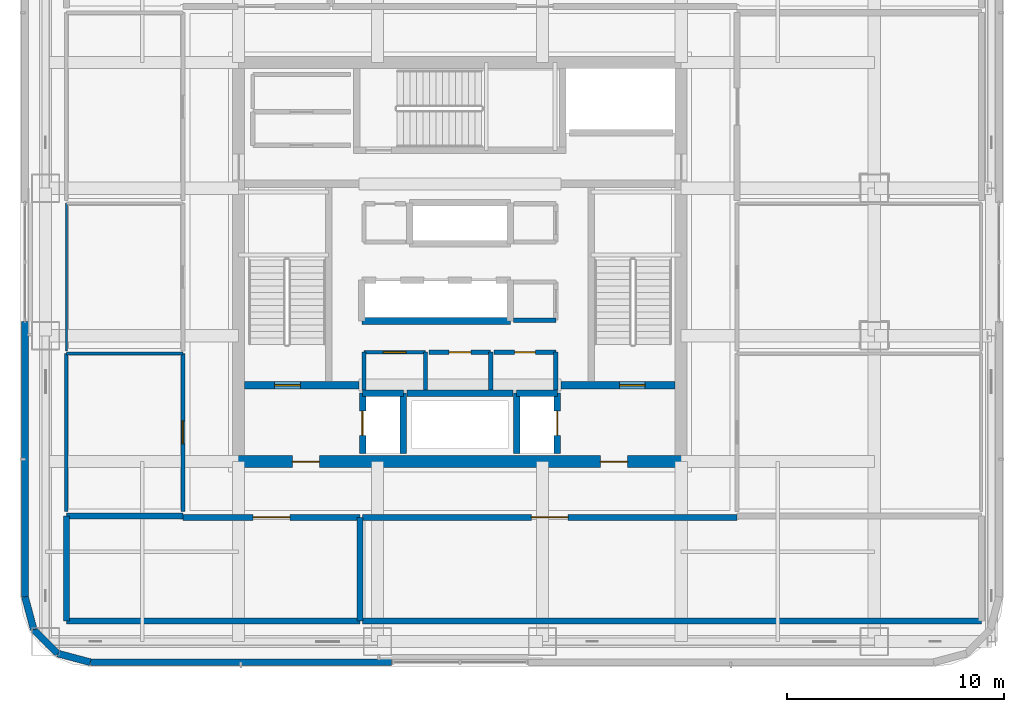
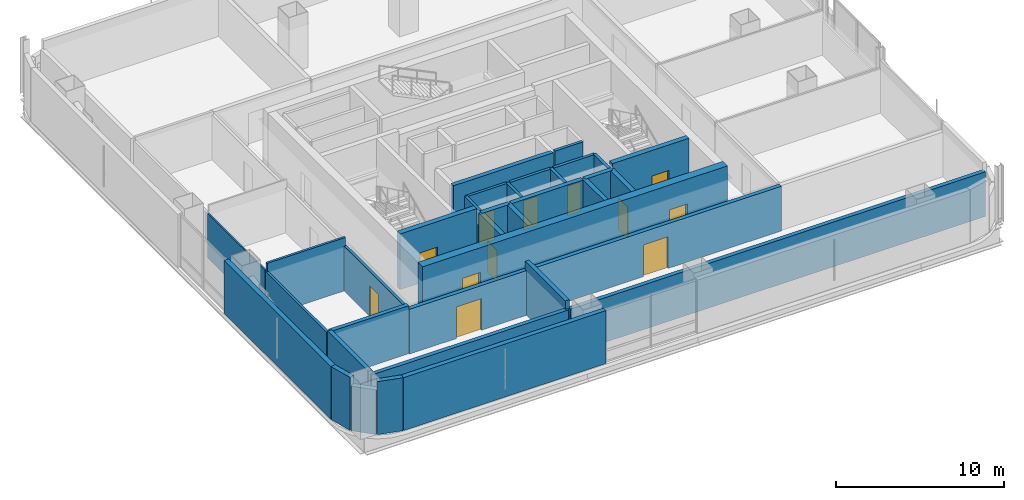
# One storey, part 16 of 30: 35 walls, 12 doors, 12 openings.
"""IFC4 building model written with IfcOpenShell, lengths in metres."""

from ifc_helpers import new_model, si_unit, direction, frame, frame_2d, origin, place, context, subcontext, project, spatial, rectangle, extrude, material, layer, layer_set, type_object, element, fill, save


model = new_model("IFC4")

# Units and contexts
model_context = context("Model", 3, precision=1e-05, world=origin(), true_north=direction((0.0, 1.0)))
body_context = subcontext(model_context, "Body", "Model", "MODEL_VIEW")
ifc_project = project(units=[si_unit("LENGTHUNIT", "METRE"), si_unit("AREAUNIT", "SQUARE_METRE"), si_unit("VOLUMEUNIT", "CUBIC_METRE"), si_unit("PLANEANGLEUNIT", "RADIAN"), si_unit("MASSUNIT", "GRAM", prefix="KILO")], contexts=[model_context])

# Site, building, storey
site_placement = place(None, origin())
site = spatial("IfcSite", under=ifc_project, at=site_placement, CompositionType="ELEMENT")
building_placement = place(site_placement, origin())
building = spatial("IfcBuilding", under=site, at=building_placement, Name="Punatoya Terracotta Tower", CompositionType="ELEMENT")
storey_placement = place(building_placement, frame((0.0, 0.0, 251.39990234375)))
storey = spatial("IfcBuildingStorey", under=building, at=storey_placement, Name="L59", CompositionType="ELEMENT", Elevation=251.39990234375)

# Walls
ifc_material_1 = material(Name="Concrete C40/50", Category="concrete")
ifc_layer_1 = layer(ifc_material_1, 0.280029296875)
ifc_layer_set_1 = layer_set([ifc_layer_1], Name="Concrete C40/50")
wall_type_1 = type_object("IfcWallType", Name="WL-AUD-280", PredefinedType="SOLIDWALL", material=ifc_layer_set_1)
wall_1_placement = place(storey_placement, frame((-18.139892578125, -16.5400390625, 0.0), z_axis=(0.0, 0.0, 1.0), x_axis=(0.0, 1.0, 0.0)))
element("IfcWall", 1, at=wall_1_placement, inside=storey, type_object=wall_type_1, Name="L59 Client Dining Salon Partition 22", PredefinedType="SOLIDWALL", context=body_context, shape_type="SweptSolid", body=[
    extrude(rectangle(XDim=4.830078125, YDim=0.280029296875, at=frame_2d((2.4150390625, 0.0))), origin(), (0.0, 0.0, 1.0), 3.484130859375),
])
wall_2_placement = place(storey_placement, frame((-18.139892578125, -11.7099609375, 0.0), z_axis=(0.0, 0.0, 1.0), x_axis=(1.0, 0.0, 0.0)))
element("IfcWall", 2, at=wall_2_placement, inside=storey, type_object=wall_type_1, Name="L59 Client Dining Salon Partition 23", PredefinedType="SOLIDWALL", context=body_context, shape_type="SweptSolid", body=[
    extrude(rectangle(XDim=5.369873046875, YDim=0.280029296875, at=frame_2d((2.68505859375, 0.0))), origin(), (0.0, 0.0, 1.0), 3.484130859375),
])

# Wall, opening, door
wall_3_placement = place(storey_placement, frame((-12.77001953125, -11.77001953125, 0.0), z_axis=(0.0, 0.0, 1.0), x_axis=(1.0, 0.0, 0.0)))
wall_3 = element("IfcWall", 3, at=wall_3_placement, inside=storey, type_object=wall_type_1, Name="L59 Client Dining Salon Partition 24", PredefinedType="SOLIDWALL", context=body_context, shape_type="SweptSolid", body=[
    extrude(rectangle(XDim=8.1650390625, YDim=0.280029296875, at=frame_2d((4.08251953125, 0.0))), origin(), (0.0, 0.0, 1.0), 3.244140625),
])
opening_1_placement = place(wall_3_placement, frame((3.232421875, 0.0, 0.0)))
opening_1 = element("IfcOpeningElement", 4, at=opening_1_placement, cuts=wall_3, Name="Opening FD-D1", PredefinedType="OPENING", context=body_context, shape_type="SweptSolid", body=[
    extrude(rectangle(XDim=1.699951171875, YDim=2.300048828125, at=frame_2d((0.85009765625, 1.14990234375))), frame((0.0, 0.14990234375, 0.0), z_axis=(0.0, -1.0, 0.0), x_axis=(1.0, 0.0, 0.0)), (0.0, 0.0, 1.0), 0.300048828125),
])
ifc_material_2 = material(Name="Timber Teak Veneer Fire Leaf", Category="wood")
door_type_1 = type_object("IfcDoorType", Name="DR-DIN-1700", OperationType="NOTDEFINED", PredefinedType="DOOR", material=ifc_material_2)
door_1_placement = place(opening_1_placement, origin())
door_1 = element("IfcDoor", 5, at=door_1_placement, inside=storey, type_object=door_type_1, Name="L59 Client Dining Salon Fire Door", OperationType="DOUBLE_DOOR_SINGLE_SWING", OverallHeight=2.300048828125, OverallWidth=1.699951171875, PredefinedType="DOOR", context=body_context, shape_type="SweptSolid", body=[
    extrude(rectangle(XDim=1.699951171875, YDim=2.300048828125, at=frame_2d((0.85009765625, 1.14990234375))), frame((0.0, 0.02490234375, 0.0), z_axis=(0.0, -1.0, 0.0), x_axis=(1.0, 0.0, 0.0)), (0.0, 0.0, 1.0), 0.050048828125),
])
fill(opening_1, door_1)

# Walls
wall_4_placement = place(storey_placement, frame((-4.60498046875, -11.77001953125, 0.0), z_axis=(0.0, 0.0, 1.0), x_axis=(0.0, -1.0, 0.0)))
element("IfcWall", 6, at=wall_4_placement, inside=storey, type_object=wall_type_1, Name="L59 Client Dining Salon Partition 25", PredefinedType="SOLIDWALL", context=body_context, shape_type="SweptSolid", body=[
    extrude(rectangle(XDim=4.77001953125, YDim=0.280029296875, at=frame_2d((2.385009765625, 0.0))), origin(), (0.0, 0.0, 1.0), 3.85009765625),
])
wall_5_placement = place(storey_placement, frame((-4.60498046875, -16.5400390625, 0.0), z_axis=(0.0, 0.0, 1.0), x_axis=(-1.0, 0.0, 0.0)))
element("IfcWall", 7, at=wall_5_placement, inside=storey, type_object=wall_type_1, Name="L59 Client Dining Salon Partition 26", PredefinedType="SOLIDWALL", context=body_context, shape_type="SweptSolid", body=[
    extrude(rectangle(XDim=13.534912109375, YDim=0.280029296875, at=frame_2d((6.767578125, 0.0))), origin(), (0.0, 0.0, 1.0), 3.244140625),
])

# Wall, opening, door
wall_6_placement = place(storey_placement, frame((-4.485107421875, -11.77001953125, 0.0), z_axis=(0.0, 0.0, 1.0), x_axis=(1.0, 0.0, 0.0)))
wall_6 = element("IfcWall", 8, at=wall_6_placement, inside=storey, type_object=wall_type_1, Name="L59 Executive Bistro Lounge Partition 27", PredefinedType="SOLIDWALL", context=body_context, shape_type="SweptSolid", body=[
    extrude(rectangle(XDim=17.255126953125, YDim=0.280029296875, at=frame_2d((8.62744140625, 0.0))), origin(), (0.0, 0.0, 1.0), 3.244140625),
])
opening_2_placement = place(wall_6_placement, frame((7.777587890625, 0.0, 0.0)))
opening_2 = element("IfcOpeningElement", 9, at=opening_2_placement, cuts=wall_6, Name="Opening FD-D1", PredefinedType="OPENING", context=body_context, shape_type="SweptSolid", body=[
    extrude(rectangle(XDim=1.699951171875, YDim=2.300048828125, at=frame_2d((0.85009765625, 1.14990234375))), frame((0.0, 0.14990234375, 0.0), z_axis=(0.0, -1.0, 0.0), x_axis=(1.0, 0.0, 0.0)), (0.0, 0.0, 1.0), 0.300048828125),
])
door_2_placement = place(opening_2_placement, origin())
door_2 = element("IfcDoor", 10, at=door_2_placement, inside=storey, type_object=door_type_1, Name="L59 Executive Bistro Lounge Fire Door", OperationType="DOUBLE_DOOR_SINGLE_SWING", OverallHeight=2.300048828125, OverallWidth=1.699951171875, PredefinedType="DOOR", context=body_context, shape_type="SweptSolid", body=[
    extrude(rectangle(XDim=1.699951171875, YDim=2.300048828125, at=frame_2d((0.85009765625, 1.14990234375))), frame((0.0, 0.02490234375, 0.0), z_axis=(0.0, -1.0, 0.0), x_axis=(1.0, 0.0, 0.0)), (0.0, 0.0, 1.0), 0.050048828125),
])
fill(opening_2, door_2)

# Wall
wall_7_placement = place(storey_placement, frame((24.0400390625, -16.5400390625, 0.0), z_axis=(0.0, 0.0, 1.0), x_axis=(-1.0, 0.0, 0.0)))
element("IfcWall", 11, at=wall_7_placement, inside=storey, type_object=wall_type_1, Name="L59 Executive Bistro Lounge Partition 30", PredefinedType="SOLIDWALL", context=body_context, shape_type="SweptSolid", body=[
    extrude(rectangle(XDim=28.525146484375, YDim=0.280029296875, at=frame_2d((14.2626953125, 0.0))), origin(), (0.0, 0.0, 1.0), 3.244140625),
])

# Wall, openings, doors
ifc_material_3 = material(Name="Concrete C50/60", Category="concrete")
ifc_layer_2 = layer(ifc_material_3, 0.550048828125)
ifc_layer_set_2 = layer_set([ifc_layer_2], Name="Concrete C50/60")
wall_type_2 = type_object("IfcWallType", Name="WL-COR-550", PredefinedType="SHEAR", material=ifc_layer_set_2)
wall_8_placement = place(storey_placement, frame((10.47509765625, -9.199951171875, 0.0), z_axis=(0.0, 0.0, 1.0), x_axis=(-1.0, 0.0, 0.0)))
wall_8 = element("IfcWall", 12, at=wall_8_placement, inside=storey, type_object=wall_type_2, Name="L59 Core Shear Wall S", PredefinedType="SHEAR", context=body_context, shape_type="SweptSolid", body=[
    extrude(rectangle(XDim=20.9501953125, YDim=0.550048828125, at=frame_2d((10.47509765625, 0.0))), origin(), (0.0, 0.0, 1.0), 4.050048828125),
])
opening_3_placement = place(wall_8_placement, frame((2.75, 0.0, 0.0)))
opening_3 = element("IfcOpeningElement", 13, at=opening_3_placement, cuts=wall_8, Name="Opening FD-L1", PredefinedType="OPENING", context=body_context, shape_type="SweptSolid", body=[
    extrude(rectangle(XDim=1.25, YDim=2.25, at=frame_2d((0.625, 1.125))), frame((0.0, 0.284912109375, 0.0), z_axis=(0.0, -1.0, 0.0), x_axis=(1.0, 0.0, 0.0)), (0.0, 0.0, 1.0), 0.570068359375),
])
opening_4_placement = place(wall_8_placement, frame((16.949951171875, 0.0, 0.0)))
opening_4 = element("IfcOpeningElement", 14, at=opening_4_placement, cuts=wall_8, Name="Opening FD-L1", PredefinedType="OPENING", context=body_context, shape_type="SweptSolid", body=[
    extrude(rectangle(XDim=1.25, YDim=2.25, at=frame_2d((0.625, 1.125))), frame((0.0, 0.284912109375, 0.0), z_axis=(0.0, -1.0, 0.0), x_axis=(1.0, 0.0, 0.0)), (0.0, 0.0, 1.0), 0.570068359375),
])
ifc_material_4 = material(Name="Galvanised Steel Smokeproof Fire Door", Category="steel")
door_type_2 = type_object("IfcDoorType", Name="DR-FFL-1250", OperationType="NOTDEFINED", PredefinedType="DOOR", material=ifc_material_4)
door_3_placement = place(opening_3_placement, origin())
door_3 = element("IfcDoor", 15, at=door_3_placement, inside=storey, type_object=door_type_2, Name="L59 East Firefighting Lobby Corridor Fire Door", OperationType="SINGLE_SWING_LEFT", OverallHeight=2.25, OverallWidth=1.25, PredefinedType="DOOR", context=body_context, shape_type="SweptSolid", body=[
    extrude(rectangle(XDim=1.25, YDim=2.25, at=frame_2d((0.625, 1.125))), frame((0.0, 0.02490234375, 0.0), z_axis=(0.0, -1.0, 0.0), x_axis=(1.0, 0.0, 0.0)), (0.0, 0.0, 1.0), 0.050048828125),
])
fill(opening_3, door_3)
door_4_placement = place(opening_4_placement, origin())
door_4 = element("IfcDoor", 16, at=door_4_placement, inside=storey, type_object=door_type_2, Name="L59 West Firefighting Lobby Corridor Fire Door", OperationType="SINGLE_SWING_RIGHT", OverallHeight=2.25, OverallWidth=1.25, PredefinedType="DOOR", context=body_context, shape_type="SweptSolid", body=[
    extrude(rectangle(XDim=1.25, YDim=2.25, at=frame_2d((0.625, 1.125))), frame((0.0, 0.02490234375, 0.0), z_axis=(0.0, -1.0, 0.0), x_axis=(1.0, 0.0, 0.0)), (0.0, 0.0, 1.0), 0.050048828125),
])
fill(opening_4, door_4)

# Wall
ifc_material_5 = material(Name="Gypsum Fireboard + Steel Stud", Category="steel")
ifc_layer_3 = layer(ifc_material_5, 0.179931640625)
ifc_layer_set_3 = layer_set([ifc_layer_3], Name="Gypsum Fireboard + Steel Stud")
wall_type_3 = type_object("IfcWallType", Name="WL-CORR-180", PredefinedType="PARTITIONING", material=ifc_layer_set_3)
wall_9_placement = place(storey_placement, frame((-1.580078125, -5.89990234375, 0.0), z_axis=(0.0, 0.0, 1.0), x_axis=(0.0, 1.0, 0.0)))
element("IfcWall", 17, at=wall_9_placement, inside=storey, type_object=wall_type_3, Name="L59 Core Quiet Wellness Room Partition 01", PredefinedType="PARTITIONING", context=body_context, shape_type="SweptSolid", body=[
    extrude(rectangle(XDim=1.739990234375, YDim=0.179931640625, at=frame_2d((0.8701171875, 0.0))), origin(), (0.0, 0.0, 1.0), 3.85009765625),
])

# Wall, opening, door
wall_10_placement = place(storey_placement, frame((-1.580078125, -4.159912109375, 0.0), z_axis=(0.0, 0.0, 1.0), x_axis=(-1.0, 0.0, 0.0)))
wall_10 = element("IfcWall", 18, at=wall_10_placement, inside=storey, type_object=wall_type_3, Name="L59 Core Quiet Wellness Room Partition 02", PredefinedType="PARTITIONING", context=body_context, shape_type="SweptSolid", body=[
    extrude(rectangle(XDim=2.83984375, YDim=0.179931640625, at=frame_2d((1.419921875, 0.0))), origin(), (0.0, 0.0, 1.0), 3.85009765625),
])
opening_5_placement = place(wall_10_placement, frame((0.89501953125, 0.0, 0.0)))
opening_5 = element("IfcOpeningElement", 19, at=opening_5_placement, cuts=wall_10, Name="Opening OD-01", PredefinedType="OPENING", context=body_context, shape_type="SweptSolid", body=[
    extrude(rectangle(XDim=1.050048828125, YDim=2.199951171875, at=frame_2d((0.52490234375, 1.10009765625))), frame((0.0, 0.099853515625, 0.0), z_axis=(0.0, -1.0, 0.0), x_axis=(1.0, 0.0, 0.0)), (0.0, 0.0, 1.0), 0.199951171875),
])
ifc_material_6 = material(Name="Bengal Teak Solid-Core Leaf")
door_type_3 = type_object("IfcDoorType", Name="DR-OFF-1050", OperationType="NOTDEFINED", PredefinedType="DOOR", material=ifc_material_6)
door_5_placement = place(opening_5_placement, origin())
door_5 = element("IfcDoor", 20, at=door_5_placement, inside=storey, type_object=door_type_3, Name="L59 Quiet Wellness Room Door", OperationType="SINGLE_SWING_RIGHT", OverallHeight=2.199951171875, OverallWidth=1.050048828125, PredefinedType="DOOR", context=body_context, shape_type="SweptSolid", body=[
    extrude(rectangle(XDim=1.050048828125, YDim=2.199951171875, at=frame_2d((0.52490234375, 1.10009765625))), frame((0.0, 0.02490234375, 0.0), z_axis=(0.0, -1.0, 0.0), x_axis=(1.0, 0.0, 0.0)), (0.0, 0.0, 1.0), 0.050048828125),
])
fill(opening_5, door_5)

# Wall
wall_11_placement = place(storey_placement, frame((-4.419921875, -4.159912109375, 0.0), z_axis=(0.0, 0.0, 1.0), x_axis=(0.0, -1.0, 0.0)))
element("IfcWall", 21, at=wall_11_placement, inside=storey, type_object=wall_type_3, Name="L59 Core Quiet Wellness Room Partition 03", PredefinedType="PARTITIONING", context=body_context, shape_type="SweptSolid", body=[
    extrude(rectangle(XDim=1.739990234375, YDim=0.179931640625, at=frame_2d((0.8701171875, 0.0))), origin(), (0.0, 0.0, 1.0), 3.85009765625),
])

# Wall, opening, door
wall_12_placement = place(storey_placement, frame((-12.77001953125, -4.218017578125, 0.0), z_axis=(0.0, 0.0, 1.0), x_axis=(0.0, -1.0, 0.0)))
wall_12 = element("IfcWall", 22, at=wall_12_placement, inside=storey, type_object=wall_type_3, Name="L59 Catering Tea Pantry Partition 32", PredefinedType="PARTITIONING", context=body_context, shape_type="SweptSolid", body=[
    extrude(rectangle(XDim=7.27197265625, YDim=0.179931640625, at=frame_2d((3.635986328125, 0.0))), origin(), (0.0, 0.0, 1.0), 3.244140625),
])
opening_6_placement = place(wall_12_placement, frame((3.111083984375, 0.0, 0.0)))
opening_6 = element("IfcOpeningElement", 23, at=opening_6_placement, cuts=wall_12, Name="Opening OD-01", PredefinedType="OPENING", context=body_context, shape_type="SweptSolid", body=[
    extrude(rectangle(XDim=1.050048828125, YDim=2.199951171875, at=frame_2d((0.52490234375, 1.10009765625))), frame((0.0, 0.099853515625, 0.0), z_axis=(0.0, -1.0, 0.0), x_axis=(1.0, 0.0, 0.0)), (0.0, 0.0, 1.0), 0.199951171875),
])
door_6_placement = place(opening_6_placement, origin())
door_6 = element("IfcDoor", 24, at=door_6_placement, inside=storey, type_object=door_type_3, Name="L59 Catering Tea Pantry Door", OperationType="SINGLE_SWING_RIGHT", OverallHeight=2.199951171875, OverallWidth=1.050048828125, PredefinedType="DOOR", context=body_context, shape_type="SweptSolid", body=[
    extrude(rectangle(XDim=1.050048828125, YDim=2.199951171875, at=frame_2d((0.52490234375, 1.10009765625))), frame((0.0, 0.02490234375, 0.0), z_axis=(0.0, -1.0, 0.0), x_axis=(1.0, 0.0, 0.0)), (0.0, 0.0, 1.0), 0.050048828125),
])
fill(opening_6, door_6)

# Walls
ifc_material_7 = material(Name="Precast concrete C40/50", Category="concrete")
ifc_layer_4 = layer(ifc_material_7, 0.320068359375)
ifc_layer_set_4 = layer_set([ifc_layer_4], Name="Precast concrete C40/50")
wall_type_4 = type_object("IfcWallType", Name="WL-EXT-320", PredefinedType="SOLIDWALL", material=ifc_layer_set_4)
wall_13_placement = place(storey_placement, frame((-17.036865234375, -18.449951171875, 0.0), z_axis=(0.0, 0.0, 1.0), x_axis=(1.0, 0.0, 0.0)))
element("IfcWall", 25, at=wall_13_placement, inside=storey, type_object=wall_type_4, Name="L59 Terracotta Braced Facade Wall S1", PredefinedType="SOLIDWALL", context=body_context, shape_type="SweptSolid", body=[
    extrude(rectangle(XDim=13.886962890625, YDim=0.320068359375, at=frame_2d((6.943359375, 0.0))), origin(), (0.0, 0.0, 1.0), 3.85009765625),
])
wall_14_placement = place(storey_placement, frame((-20.050048828125, -2.75, 0.0), z_axis=(0.0, 0.0, 1.0), x_axis=(0.0, -1.0, 0.0)))
element("IfcWall", 26, at=wall_14_placement, inside=storey, type_object=wall_type_4, Name="L59 Terracotta Braced Facade Wall W2", PredefinedType="SOLIDWALL", context=body_context, shape_type="SweptSolid", body=[
    extrude(rectangle(XDim=12.68701171875, YDim=0.320068359375, at=frame_2d((6.343505859375, 0.0))), origin(), (0.0, 0.0, 1.0), 3.85009765625),
])
wall_15_placement = place(storey_placement, frame((-20.050048828125, -15.43701171875, 0.0), z_axis=(0.0, 0.0, 1.0), x_axis=(0.257847112249, -0.966185730957, 0.0)))
element("IfcWall", 27, at=wall_15_placement, inside=storey, type_object=wall_type_4, Name="L59 Rounded Terracotta Corner Pier 14", PredefinedType="SOLIDWALL", context=body_context, shape_type="SweptSolid", body=[
    extrude(rectangle(XDim=1.565185546875, YDim=0.320068359375, at=frame_2d((0.78271484375, 0.0))), origin(), (0.0, 0.0, 1.0), 3.85009765625),
])
wall_16_placement = place(storey_placement, frame((-19.646484375, -16.94921875, 0.0), z_axis=(0.0, 0.0, 1.0), x_axis=(0.707106781187, -0.707106781187, 0.0)))
element("IfcWall", 28, at=wall_16_placement, inside=storey, type_object=wall_type_4, Name="L59 Rounded Terracotta Corner Pier 15", PredefinedType="SOLIDWALL", context=body_context, shape_type="SweptSolid", body=[
    extrude(rectangle(XDim=1.552001953125, YDim=0.320068359375, at=frame_2d((0.77587890625, 0.0))), origin(), (0.0, 0.0, 1.0), 3.244140625),
])
wall_17_placement = place(storey_placement, frame((-18.549072265625, -18.046630859375, 0.0), z_axis=(0.0, 0.0, 1.0), x_axis=(0.966224582397, -0.257701486942, 0.0)))
element("IfcWall", 29, at=wall_17_placement, inside=storey, type_object=wall_type_4, Name="L59 Rounded Terracotta Corner Pier 16", PredefinedType="SOLIDWALL", context=body_context, shape_type="SweptSolid", body=[
    extrude(rectangle(XDim=1.565185546875, YDim=0.320068359375, at=frame_2d((0.78271484375, 0.0))), origin(), (0.0, 0.0, 1.0), 3.85009765625),
])
ifc_material_8 = material(Name="Aluminium Framed Acoustic Glass Partition", Category="aluminium")
ifc_layer_5 = layer(ifc_material_8, 0.10009765625)
ifc_layer_set_5 = layer_set([ifc_layer_5], Name="Aluminium Framed Acoustic Glass Partition")
wall_type_5 = type_object("IfcWallType", Name="WL-GLZ-100", PredefinedType="PARTITIONING", material=ifc_layer_set_5)
wall_18_placement = place(storey_placement, frame((-18.139892578125, -4.097900390625, 0.0), z_axis=(0.0, 0.0, 1.0), x_axis=(0.0, 1.0, 0.0)))
element("IfcWall", 30, at=wall_18_placement, inside=storey, type_object=wall_type_5, Name="L59 Private Dining Boardroom Partition 39", PredefinedType="PARTITIONING", context=body_context, shape_type="SweptSolid", body=[
    extrude(rectangle(XDim=6.809814453125, YDim=0.10009765625, at=frame_2d((3.40478515625, 0.0))), origin(), (0.0, 0.0, 1.0), 3.244140625),
])
ifc_layer_6 = layer(ifc_material_1, 0.199951171875)
ifc_layer_set_6 = layer_set([ifc_layer_6], Name="Concrete C40/50")
wall_type_6 = type_object("IfcWallType", Name="WL-INT-200", PredefinedType="SOLIDWALL", material=ifc_layer_set_6)
wall_19_placement = place(storey_placement, frame((1.419921875, -5.89990234375, 0.0), z_axis=(0.0, 0.0, 1.0), x_axis=(0.0, 1.0, 0.0)))
element("IfcWall", 31, at=wall_19_placement, inside=storey, type_object=wall_type_6, Name="L59 Accessible Universal Washroom Partition 04", PredefinedType="SOLIDWALL", context=body_context, shape_type="SweptSolid", body=[
    extrude(rectangle(XDim=1.739990234375, YDim=0.199951171875, at=frame_2d((0.8701171875, 0.0))), origin(), (0.0, 0.0, 1.0), 3.85009765625),
])

# Wall, opening, door
wall_20_placement = place(storey_placement, frame((1.419921875, -4.159912109375, 0.0), z_axis=(0.0, 0.0, 1.0), x_axis=(-1.0, 0.0, 0.0)))
wall_20 = element("IfcWall", 32, at=wall_20_placement, inside=storey, type_object=wall_type_6, Name="L59 Accessible Universal Washroom Partition 05", PredefinedType="SOLIDWALL", context=body_context, shape_type="SweptSolid", body=[
    extrude(rectangle(XDim=2.83984375, YDim=0.199951171875, at=frame_2d((1.419921875, 0.0))), origin(), (0.0, 0.0, 1.0), 3.85009765625),
])
opening_7_placement = place(wall_20_placement, frame((0.919921875, 0.0, 0.0)))
opening_7 = element("IfcOpeningElement", 33, at=opening_7_placement, cuts=wall_20, Name="Opening AWD-1", PredefinedType="OPENING", context=body_context, shape_type="SweptSolid", body=[
    extrude(rectangle(XDim=1.0, YDim=2.14990234375, at=frame_2d((0.5, 1.074951171875))), frame((0.0, 0.10986328125, 0.0), z_axis=(0.0, -1.0, 0.0), x_axis=(1.0, 0.0, 0.0)), (0.0, 0.0, 1.0), 0.219970703125),
])
ifc_material_9 = material(Name="Bengal Teak Accessible WC Leaf")
door_type_4 = type_object("IfcDoorType", Name="DR-ACC-1000", OperationType="NOTDEFINED", PredefinedType="DOOR", material=ifc_material_9)
door_7_placement = place(opening_7_placement, origin())
door_7 = element("IfcDoor", 34, at=door_7_placement, inside=storey, type_object=door_type_4, Name="L59 Accessible Universal Washroom Door", OperationType="SINGLE_SWING_LEFT", OverallHeight=2.14990234375, OverallWidth=1.0, PredefinedType="DOOR", context=body_context, shape_type="SweptSolid", body=[
    extrude(rectangle(XDim=1.0, YDim=2.14990234375, at=frame_2d((0.5, 1.074951171875))), frame((0.0, 0.02490234375, 0.0), z_axis=(0.0, -1.0, 0.0), x_axis=(1.0, 0.0, 0.0)), (0.0, 0.0, 1.0), 0.050048828125),
])
fill(opening_7, door_7)

# Wall
wall_21_placement = place(storey_placement, frame((4.419921875, -5.89990234375, 0.0), z_axis=(0.0, 0.0, 1.0), x_axis=(0.0, 1.0, 0.0)))
element("IfcWall", 35, at=wall_21_placement, inside=storey, type_object=wall_type_6, Name="L59 All-Gender Washroom Partition 06", PredefinedType="SOLIDWALL", context=body_context, shape_type="SweptSolid", body=[
    extrude(rectangle(XDim=1.739990234375, YDim=0.199951171875, at=frame_2d((0.8701171875, 0.0))), origin(), (0.0, 0.0, 1.0), 3.85009765625),
])

# Wall, opening, door
wall_22_placement = place(storey_placement, frame((4.419921875, -4.159912109375, 0.0), z_axis=(0.0, 0.0, 1.0), x_axis=(-1.0, 0.0, 0.0)))
wall_22 = element("IfcWall", 36, at=wall_22_placement, inside=storey, type_object=wall_type_6, Name="L59 All-Gender Washroom Partition 07", PredefinedType="SOLIDWALL", context=body_context, shape_type="SweptSolid", body=[
    extrude(rectangle(XDim=2.83984375, YDim=0.199951171875, at=frame_2d((1.419921875, 0.0))), origin(), (0.0, 0.0, 1.0), 3.85009765625),
])
opening_8_placement = place(wall_22_placement, frame((0.945068359375, 0.0, 0.0)))
opening_8 = element("IfcOpeningElement", 37, at=opening_8_placement, cuts=wall_22, Name="Opening WD-01", PredefinedType="OPENING", context=body_context, shape_type="SweptSolid", body=[
    extrude(rectangle(XDim=0.949951171875, YDim=2.14990234375, at=frame_2d((0.47509765625, 1.074951171875))), frame((0.0, 0.10986328125, 0.0), z_axis=(0.0, -1.0, 0.0), x_axis=(1.0, 0.0, 0.0)), (0.0, 0.0, 1.0), 0.219970703125),
])
ifc_material_10 = material(Name="Moisture-Resistant Laminate Timber Leaf", Category="wood")
door_type_5 = type_object("IfcDoorType", Name="DR-WC-950", OperationType="NOTDEFINED", PredefinedType="DOOR", material=ifc_material_10)
door_8_placement = place(opening_8_placement, origin())
door_8 = element("IfcDoor", 38, at=door_8_placement, inside=storey, type_object=door_type_5, Name="L59 All-Gender Washroom Door", OperationType="SINGLE_SWING_RIGHT", OverallHeight=2.14990234375, OverallWidth=0.949951171875, PredefinedType="DOOR", context=body_context, shape_type="SweptSolid", body=[
    extrude(rectangle(XDim=0.949951171875, YDim=2.14990234375, at=frame_2d((0.47509765625, 1.074951171875))), frame((0.0, 0.02490234375, 0.0), z_axis=(0.0, -1.0, 0.0), x_axis=(1.0, 0.0, 0.0)), (0.0, 0.0, 1.0), 0.050048828125),
])
fill(opening_8, door_8)

# Wall
wall_23_placement = place(storey_placement, frame((2.47998046875, -2.679931640625, 0.0), z_axis=(0.0, 0.0, 1.0), x_axis=(1.0, 0.0, 0.0)))
element("IfcWall", 39, at=wall_23_placement, inside=storey, type_object=wall_type_6, Name="L59 East Core Tea Pantry Partition 10", PredefinedType="SOLIDWALL", context=body_context, shape_type="SweptSolid", body=[
    extrude(rectangle(XDim=1.93994140625, YDim=0.199951171875, at=frame_2d((0.969970703125, 0.0))), origin(), (0.0, 0.0, 1.0), 3.85009765625),
])

# Wall, opening, door
ifc_layer_7 = layer(ifc_material_1, 0.300048828125)
ifc_layer_set_7 = layer_set([ifc_layer_7], Name="Concrete C40/50")
wall_type_7 = type_object("IfcWallType", Name="WL-SHF-300", PredefinedType="SOLIDWALL", material=ifc_layer_set_7)
wall_24_placement = place(storey_placement, frame((-4.489990234375, -8.820068359375, 0.0), z_axis=(0.0, 0.0, 1.0), x_axis=(0.0, 1.0, 0.0)))
wall_24 = element("IfcWall", 40, at=wall_24_placement, inside=storey, type_object=wall_type_7, Name="L59 FFL-1 Front Hoistway Wall", PredefinedType="SOLIDWALL", context=body_context, shape_type="SweptSolid", body=[
    extrude(rectangle(XDim=2.77001953125, YDim=0.300048828125, at=frame_2d((1.385009765625, 0.0))), origin(), (0.0, 0.0, 1.0), 3.85009765625),
])
opening_9_placement = place(wall_24_placement, frame((0.824951171875, 0.0, 0.0)))
opening_9 = element("IfcOpeningElement", 41, at=opening_9_placement, cuts=wall_24, Name="Opening LD-02", PredefinedType="OPENING", context=body_context, shape_type="SweptSolid", body=[
    extrude(rectangle(XDim=1.1201171875, YDim=2.25, at=frame_2d((0.56005859375, 1.125))), frame((0.0, 0.159912109375, 0.0), z_axis=(0.0, -1.0, 0.0), x_axis=(1.0, 0.0, 0.0)), (0.0, 0.0, 1.0), 0.320068359375),
])
ifc_material_11 = material(Name="Stainless Steel Lift Landing Door", Category="steel")
door_type_6 = type_object("IfcDoorType", Name="DR-LND-1120", OperationType="NOTDEFINED", PredefinedType="DOOR", material=ifc_material_11)
door_9_placement = place(opening_9_placement, origin())
door_9 = element("IfcDoor", 42, at=door_9_placement, inside=storey, type_object=door_type_6, Name="L59 Firefighting Lift FFL-1 Sliding Landing Door", OperationType="SLIDING_TO_LEFT", OverallHeight=2.25, OverallWidth=1.1201171875, PredefinedType="DOOR", context=body_context, shape_type="SweptSolid", body=[
    extrude(rectangle(XDim=1.1201171875, YDim=2.25, at=frame_2d((0.56005859375, 1.125))), frame((0.0, 0.02490234375, 0.0), z_axis=(0.0, -1.0, 0.0), x_axis=(1.0, 0.0, 0.0)), (0.0, 0.0, 1.0), 0.050048828125),
])
fill(opening_9, door_9)

# Walls
wall_25_placement = place(storey_placement, frame((-2.610107421875, -8.820068359375, 0.0), z_axis=(0.0, 0.0, 1.0), x_axis=(0.0, 1.0, 0.0)))
element("IfcWall", 43, at=wall_25_placement, inside=storey, type_object=wall_type_7, Name="L59 FFL-1 Rear Hoistway Wall", PredefinedType="SOLIDWALL", context=body_context, shape_type="SweptSolid", body=[
    extrude(rectangle(XDim=2.77001953125, YDim=0.300048828125, at=frame_2d((1.385009765625, 0.0))), origin(), (0.0, 0.0, 1.0), 3.85009765625),
])
wall_26_placement = place(storey_placement, frame((-4.489990234375, -6.050048828125, 0.0), z_axis=(0.0, 0.0, 1.0), x_axis=(1.0, 0.0, 0.0)))
element("IfcWall", 44, at=wall_26_placement, inside=storey, type_object=wall_type_7, Name="L59 FFL-1 North Hoistway Wall", PredefinedType="SOLIDWALL", context=body_context, shape_type="SweptSolid", body=[
    extrude(rectangle(XDim=1.8798828125, YDim=0.300048828125, at=frame_2d((0.93994140625, 0.0))), origin(), (0.0, 0.0, 1.0), 3.85009765625),
])

# Wall, opening, door
wall_27_placement = place(storey_placement, frame((4.489990234375, -8.820068359375, 0.0), z_axis=(0.0, 0.0, 1.0), x_axis=(0.0, 1.0, 0.0)))
wall_27 = element("IfcWall", 45, at=wall_27_placement, inside=storey, type_object=wall_type_7, Name="L59 FFL-2 Front Hoistway Wall", PredefinedType="SOLIDWALL", context=body_context, shape_type="SweptSolid", body=[
    extrude(rectangle(XDim=2.77001953125, YDim=0.300048828125, at=frame_2d((1.385009765625, 0.0))), origin(), (0.0, 0.0, 1.0), 3.85009765625),
])
opening_10_placement = place(wall_27_placement, frame((0.824951171875, 0.0, 0.0)))
opening_10 = element("IfcOpeningElement", 46, at=opening_10_placement, cuts=wall_27, Name="Opening LD-02", PredefinedType="OPENING", context=body_context, shape_type="SweptSolid", body=[
    extrude(rectangle(XDim=1.1201171875, YDim=2.25, at=frame_2d((0.56005859375, 1.125))), frame((0.0, 0.159912109375, 0.0), z_axis=(0.0, -1.0, 0.0), x_axis=(1.0, 0.0, 0.0)), (0.0, 0.0, 1.0), 0.320068359375),
])
door_10_placement = place(opening_10_placement, origin())
door_10 = element("IfcDoor", 47, at=door_10_placement, inside=storey, type_object=door_type_6, Name="L59 Firefighting Lift FFL-2 Sliding Landing Door", OperationType="SLIDING_TO_RIGHT", OverallHeight=2.25, OverallWidth=1.1201171875, PredefinedType="DOOR", context=body_context, shape_type="SweptSolid", body=[
    extrude(rectangle(XDim=1.1201171875, YDim=2.25, at=frame_2d((0.56005859375, 1.125))), frame((0.0, 0.02490234375, 0.0), z_axis=(0.0, -1.0, 0.0), x_axis=(1.0, 0.0, 0.0)), (0.0, 0.0, 1.0), 0.050048828125),
])
fill(opening_10, door_10)

# Walls
wall_28_placement = place(storey_placement, frame((2.610107421875, -8.820068359375, 0.0), z_axis=(0.0, 0.0, 1.0), x_axis=(0.0, 1.0, 0.0)))
element("IfcWall", 48, at=wall_28_placement, inside=storey, type_object=wall_type_7, Name="L59 FFL-2 Rear Hoistway Wall", PredefinedType="SOLIDWALL", context=body_context, shape_type="SweptSolid", body=[
    extrude(rectangle(XDim=2.77001953125, YDim=0.300048828125, at=frame_2d((1.385009765625, 0.0))), origin(), (0.0, 0.0, 1.0), 3.85009765625),
])
wall_29_placement = place(storey_placement, frame((2.610107421875, -6.050048828125, 0.0), z_axis=(0.0, 0.0, 1.0), x_axis=(1.0, 0.0, 0.0)))
element("IfcWall", 49, at=wall_29_placement, inside=storey, type_object=wall_type_7, Name="L59 FFL-2 North Hoistway Wall", PredefinedType="SOLIDWALL", context=body_context, shape_type="SweptSolid", body=[
    extrude(rectangle(XDim=1.8798828125, YDim=0.300048828125, at=frame_2d((0.93994140625, 0.0))), origin(), (0.0, 0.0, 1.0), 3.85009765625),
])
wall_30_placement = place(storey_placement, frame((-4.52001953125, -2.719970703125, 0.0), z_axis=(0.0, 0.0, 1.0), x_axis=(1.0, 0.0, 0.0)))
element("IfcWall", 50, at=wall_30_placement, inside=storey, type_object=wall_type_7, Name="L59 South Lift Bank Rear Shaft Wall", PredefinedType="SOLIDWALL", context=body_context, shape_type="SweptSolid", body=[
    extrude(rectangle(XDim=6.840087890625, YDim=0.300048828125, at=frame_2d((3.419921875, 0.0))), origin(), (0.0, 0.0, 1.0), 3.85009765625),
])
wall_31_placement = place(storey_placement, frame((-2.449951171875, -6.050048828125, 0.0), z_axis=(0.0, 0.0, 1.0), x_axis=(1.0, 0.0, 0.0)))
element("IfcWall", 51, at=wall_31_placement, inside=storey, type_object=wall_type_7, Name="L59 Observation Shuttle Rear Hoistway Wall", PredefinedType="SOLIDWALL", context=body_context, shape_type="SweptSolid", body=[
    extrude(rectangle(XDim=4.89990234375, YDim=0.300048828125, at=frame_2d((2.449951171875, 0.0))), origin(), (0.0, 0.0, 1.0), 3.85009765625),
])

# Wall, opening, door
ifc_layer_8 = layer(ifc_material_3, 0.35009765625)
ifc_layer_set_8 = layer_set([ifc_layer_8], Name="Concrete C50/60")
wall_type_8 = type_object("IfcWallType", Name="WL-SHF-350", PredefinedType="SOLIDWALL", material=ifc_layer_set_8)
wall_32_placement = place(storey_placement, frame((-9.925048828125, -5.679931640625, 0.0), z_axis=(0.0, 0.0, 1.0), x_axis=(1.0, 0.0, 0.0)))
wall_32 = element("IfcWall", 52, at=wall_32_placement, inside=storey, type_object=wall_type_8, Name="L59 Core Web Wall CSW-L", PredefinedType="SOLIDWALL", context=body_context, shape_type="SweptSolid", body=[
    extrude(rectangle(XDim=5.275146484375, YDim=0.35009765625, at=frame_2d((2.6376953125, 0.0))), origin(), (0.0, 0.0, 1.0), 4.050048828125),
])
opening_11_placement = place(wall_32_placement, frame((1.385009765625, 0.0, 0.0)))
opening_11 = element("IfcOpeningElement", 53, at=opening_11_placement, cuts=wall_32, Name="Opening SD-01", PredefinedType="OPENING", context=body_context, shape_type="SweptSolid", body=[
    extrude(rectangle(XDim=1.179931640625, YDim=2.199951171875, at=frame_2d((0.58984375, 1.10009765625))), frame((0.0, 0.18505859375, 0.0), z_axis=(0.0, -1.0, 0.0), x_axis=(1.0, 0.0, 0.0)), (0.0, 0.0, 1.0), 0.3701171875),
])
ifc_material_12 = material(Name="Galvanised Steel Pressurized Stair Fire Door", Category="steel")
door_type_7 = type_object("IfcDoorType", Name="DR-STR-1180", OperationType="NOTDEFINED", PredefinedType="DOOR", material=ifc_material_12)
door_11_placement = place(opening_11_placement, origin())
door_11 = element("IfcDoor", 54, at=door_11_placement, inside=storey, type_object=door_type_7, Name="L59 Stair ST-1 Smokeproof Lobby Fire Door", OperationType="SINGLE_SWING_LEFT", OverallHeight=2.199951171875, OverallWidth=1.179931640625, PredefinedType="DOOR", context=body_context, shape_type="SweptSolid", body=[
    extrude(rectangle(XDim=1.179931640625, YDim=2.199951171875, at=frame_2d((0.58984375, 1.10009765625))), frame((0.0, 0.02490234375, 0.0), z_axis=(0.0, -1.0, 0.0), x_axis=(1.0, 0.0, 0.0)), (0.0, 0.0, 1.0), 0.050048828125),
])
fill(opening_11, door_11)

wall_33_placement = place(storey_placement, frame((4.64990234375, -5.679931640625, 0.0), z_axis=(0.0, 0.0, 1.0), x_axis=(1.0, 0.0, 0.0)))
wall_33 = element("IfcWall", 55, at=wall_33_placement, inside=storey, type_object=wall_type_8, Name="L59 Core Web Wall CSW-R", PredefinedType="SOLIDWALL", context=body_context, shape_type="SweptSolid", body=[
    extrude(rectangle(XDim=5.275146484375, YDim=0.35009765625, at=frame_2d((2.6376953125, 0.0))), origin(), (0.0, 0.0, 1.0), 4.050048828125),
])
opening_12_placement = place(wall_33_placement, frame((2.7099609375, 0.0, 0.0)))
opening_12 = element("IfcOpeningElement", 56, at=opening_12_placement, cuts=wall_33, Name="Opening SD-01", PredefinedType="OPENING", context=body_context, shape_type="SweptSolid", body=[
    extrude(rectangle(XDim=1.179931640625, YDim=2.199951171875, at=frame_2d((0.58984375, 1.10009765625))), frame((0.0, 0.18505859375, 0.0), z_axis=(0.0, -1.0, 0.0), x_axis=(1.0, 0.0, 0.0)), (0.0, 0.0, 1.0), 0.3701171875),
])
door_12_placement = place(opening_12_placement, origin())
door_12 = element("IfcDoor", 57, at=door_12_placement, inside=storey, type_object=door_type_7, Name="L59 Stair ST-2 Smokeproof Lobby Fire Door", OperationType="SINGLE_SWING_RIGHT", OverallHeight=2.199951171875, OverallWidth=1.179931640625, PredefinedType="DOOR", context=body_context, shape_type="SweptSolid", body=[
    extrude(rectangle(XDim=1.179931640625, YDim=2.199951171875, at=frame_2d((0.58984375, 1.10009765625))), frame((0.0, 0.02490234375, 0.0), z_axis=(0.0, -1.0, 0.0), x_axis=(1.0, 0.0, 0.0)), (0.0, 0.0, 1.0), 0.050048828125),
])
fill(opening_12, door_12)

# Walls
ifc_material_13 = material(Name="Masonry Blockwork + Ceramic Tile", Category="masonry")
ifc_layer_9 = layer(ifc_material_13, 0.159912109375)
ifc_layer_set_9 = layer_set([ifc_layer_9], Name="Masonry Blockwork + Ceramic Tile")
wall_type_9 = type_object("IfcWallType", Name="WL-WET-160", PredefinedType="PARTITIONING", material=ifc_layer_set_9)
wall_34_placement = place(storey_placement, frame((-18.139892578125, -4.218017578125, 0.0), z_axis=(0.0, 0.0, 1.0), x_axis=(1.0, 0.0, 0.0)))
element("IfcWall", 58, at=wall_34_placement, inside=storey, type_object=wall_type_9, Name="L59 Catering Tea Pantry Partition 31", PredefinedType="PARTITIONING", context=body_context, shape_type="SweptSolid", body=[
    extrude(rectangle(XDim=5.369873046875, YDim=0.159912109375, at=frame_2d((2.68505859375, 0.0))), origin(), (0.0, 0.0, 1.0), 3.85009765625),
])
wall_35_placement = place(storey_placement, frame((-18.139892578125, -11.489990234375, 0.0), z_axis=(0.0, 0.0, 1.0), x_axis=(0.0, 1.0, 0.0)))
element("IfcWall", 59, at=wall_35_placement, inside=storey, type_object=wall_type_9, Name="L59 Catering Tea Pantry Partition 33", PredefinedType="PARTITIONING", context=body_context, shape_type="SweptSolid", body=[
    extrude(rectangle(XDim=7.27197265625, YDim=0.159912109375, at=frame_2d((3.635986328125, 0.0))), origin(), (0.0, 0.0, 1.0), 3.244140625),
])

save(model, "model.ifc")
